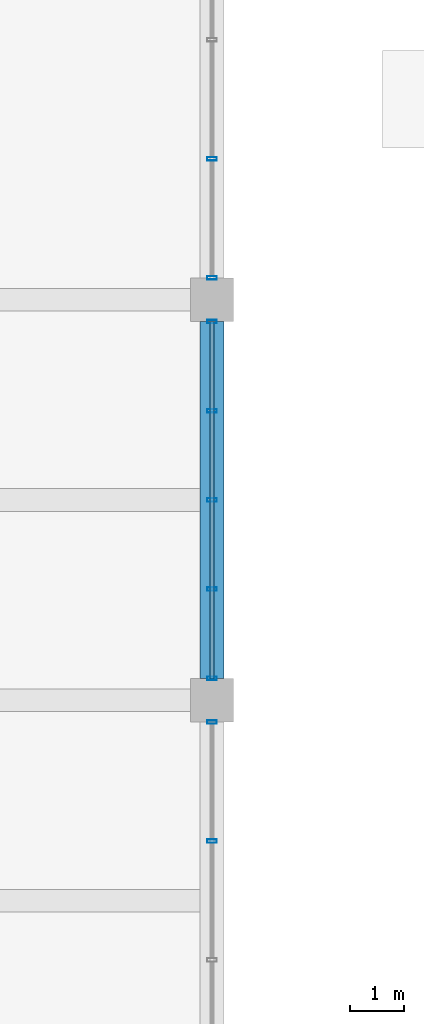
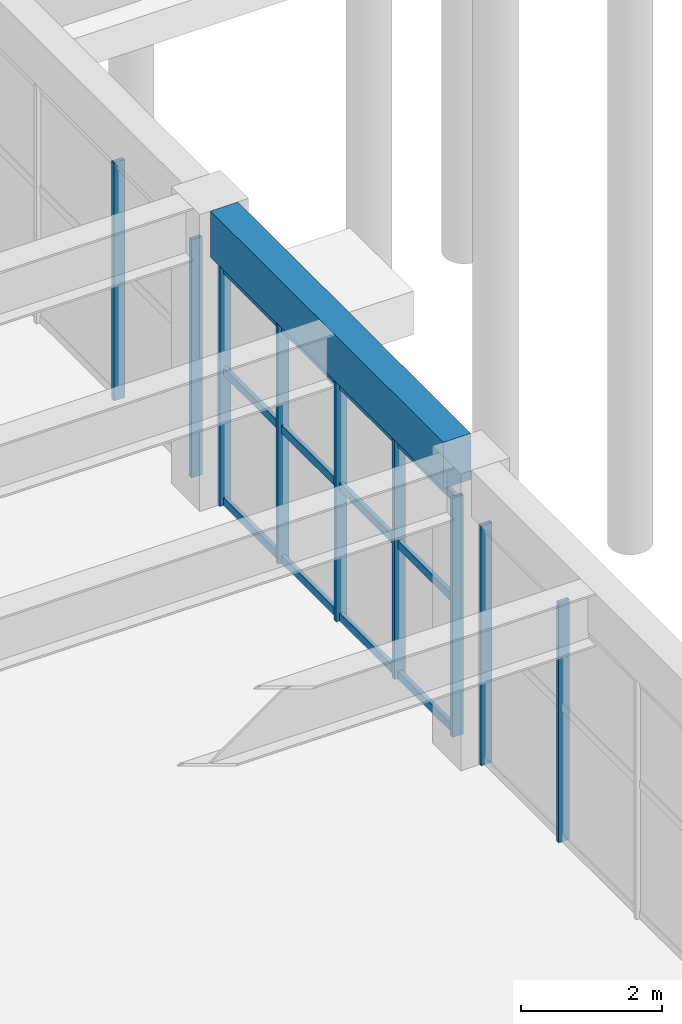
# One storey, part 49 of 140: 12 members, 1 beam, 3 elements without a shape of their own.
"""IFC4 building model written with IfcOpenShell, lengths in metres."""

from ifc_helpers import new_model, si_unit, direction, frame, origin, origin_2d, place, context, subcontext, project, spatial, rectangle, hollow_rectangle, extrude, material, material_profile, profile_set, type_object, element, aggregate, save


model = new_model("IFC4")

# Units and contexts
model_context = context("Model", 3, precision=1e-05, world=origin(), true_north=direction((0.0, 1.0)))
body_context = subcontext(model_context, "Body", "Model", "MODEL_VIEW")
ifc_project = project(units=[si_unit("LENGTHUNIT", "METRE"), si_unit("AREAUNIT", "SQUARE_METRE"), si_unit("VOLUMEUNIT", "CUBIC_METRE"), si_unit("PLANEANGLEUNIT", "RADIAN"), si_unit("MASSUNIT", "GRAM", prefix="KILO")], contexts=[model_context])

# Site, building, storey
site_placement = place(None, origin())
site = spatial("IfcSite", under=ifc_project, at=site_placement, CompositionType="ELEMENT")
building_placement = place(site_placement, origin())
building = spatial("IfcBuilding", under=site, at=building_placement, Name="Cimatlan Art Gallery", CompositionType="ELEMENT")
storey_placement = place(building_placement, origin())
storey = spatial("IfcBuildingStorey", under=building, at=storey_placement, Name="L00", CompositionType="ELEMENT", Elevation=0.0)

# Beam
ifc_material_1 = material(Name="Concrete C40/50", Category="concrete")
ifc_material_profile_1 = material_profile(ifc_material_1, rectangle(XDim=0.449951171875, YDim=0.800048828125, at=origin_2d()), Name="RC450X800")
ifc_profile_set_1 = profile_set([ifc_material_profile_1], Name="Concrete C40/50")
beam_type = type_object("IfcBeamType", Name="BM-RC-450X800", PredefinedType="BEAM", material=ifc_profile_set_1)
beam_placement = place(storey_placement, frame((99.199951171875, 53.89990234375, 4.735107421875), z_axis=(0.0, 1.0, 0.0), x_axis=(-1.0, 0.0, 0.0)))
element("IfcBeam", 1, at=beam_placement, inside=storey, type_object=beam_type, Name="BM-Y-L00-12-07", PredefinedType="BEAM", context=body_context, shape_type="SweptSolid", body=[
    extrude(rectangle(XDim=0.449951171875, YDim=0.800048828125, at=origin_2d()), origin(), (0.0, 0.0, 1.0), 6.60009765625),
])

# Curtain wall, members
ifc_material_2 = material(Name="Anodised bronze unitised curtain wall")
curtain_wall_type_1 = type_object("IfcCurtainWallType", Name="CW-V-06592X04148-B3", PredefinedType="NOTDEFINED", material=ifc_material_2)
curtain_wall_1_placement = place(storey_placement, origin())
curtain_wall_1 = element("IfcCurtainWall", 2, at=curtain_wall_1_placement, inside=storey, type_object=curtain_wall_type_1, Name="CW-L00-11-06-E", PredefinedType="NOTDEFINED")
ifc_material_3 = material(Name="Anodised bronze aluminium 6063-T6", Category="aluminium")
ifc_material_profile_2 = material_profile(ifc_material_3, hollow_rectangle(XDim=0.06494140625, YDim=0.179931640625, WallThickness=0.00390625, at=origin_2d()), Name="ALU65X180X4")
ifc_profile_set_2 = profile_set([ifc_material_profile_2], Name="Anodised bronze aluminium 6063-T6")
member_type_1 = type_object("IfcMemberType", Name="CW-MUL-180", PredefinedType="MULLION", material=ifc_profile_set_2)
member_1_placement = place(storey_placement, frame((99.199951171875, 53.095947265625, 0.0), z_axis=(0.0, 0.0, 1.0), x_axis=(0.0, 1.0, 0.0)))
member_1 = element("IfcMember", 3, at=member_1_placement, type_object=member_type_1, Name="CW-L00-11-06-E-M1", PredefinedType="MULLION", context=body_context, shape_type="SweptSolid", body=[
    extrude(hollow_rectangle(XDim=0.06494140625, YDim=0.179931640625, WallThickness=0.00390625, at=origin_2d()), origin(), (0.0, 0.0, 1.0), 4.14794921875),
])
member_2_placement = place(storey_placement, frame((99.199951171875, 50.898681640625, 0.0), z_axis=(0.0, 0.0, 1.0), x_axis=(0.0, 1.0, 0.0)))
member_2 = element("IfcMember", 4, at=member_2_placement, type_object=member_type_1, Name="CW-L00-11-06-E-M2", PredefinedType="MULLION", context=body_context, shape_type="SweptSolid", body=[
    extrude(hollow_rectangle(XDim=0.06494140625, YDim=0.179931640625, WallThickness=0.00390625, at=origin_2d()), origin(), (0.0, 0.0, 1.0), 4.14794921875),
])
aggregate(curtain_wall_1, [member_1, member_2])

curtain_wall_type_2 = type_object("IfcCurtainWallType", Name="CW-V-06592X04133-B4", PredefinedType="NOTDEFINED", material=ifc_material_2)
curtain_wall_2_placement = place(storey_placement, origin())
curtain_wall_2 = element("IfcCurtainWall", 5, at=curtain_wall_2_placement, inside=storey, type_object=curtain_wall_type_2, Name="CW-L00-11-07-E", PredefinedType="NOTDEFINED")
member_3_placement = place(storey_placement, frame((99.199951171875, 60.49609375, 0.0), z_axis=(0.0, 0.0, 1.0), x_axis=(0.0, 1.0, 0.0)))
member_3 = element("IfcMember", 6, at=member_3_placement, type_object=member_type_1, Name="CW-L00-11-07-E-M1", PredefinedType="MULLION", context=body_context, shape_type="SweptSolid", body=[
    extrude(hollow_rectangle(XDim=0.06494140625, YDim=0.179931640625, WallThickness=0.00390625, at=origin_2d()), origin(), (0.0, 0.0, 1.0), 4.133056640625),
])
member_4_placement = place(storey_placement, frame((99.199951171875, 58.847900390625, 0.0), z_axis=(0.0, 0.0, 1.0), x_axis=(0.0, 1.0, 0.0)))
member_4 = element("IfcMember", 7, at=member_4_placement, type_object=member_type_1, Name="CW-L00-11-07-E-M2", PredefinedType="MULLION", context=body_context, shape_type="SweptSolid", body=[
    extrude(hollow_rectangle(XDim=0.06494140625, YDim=0.179931640625, WallThickness=0.00390625, at=origin_2d()), origin(), (0.0, 0.0, 1.0), 4.133056640625),
])
member_5_placement = place(storey_placement, frame((99.199951171875, 57.199951171875, 0.0), z_axis=(0.0, 0.0, 1.0), x_axis=(0.0, 1.0, 0.0)))
member_5 = element("IfcMember", 8, at=member_5_placement, type_object=member_type_1, Name="CW-L00-11-07-E-M3", PredefinedType="MULLION", context=body_context, shape_type="SweptSolid", body=[
    extrude(hollow_rectangle(XDim=0.06494140625, YDim=0.179931640625, WallThickness=0.00390625, at=origin_2d()), origin(), (0.0, 0.0, 1.0), 4.133056640625),
])
member_6_placement = place(storey_placement, frame((99.199951171875, 55.552001953125, 0.0), z_axis=(0.0, 0.0, 1.0), x_axis=(0.0, 1.0, 0.0)))
member_6 = element("IfcMember", 9, at=member_6_placement, type_object=member_type_1, Name="CW-L00-11-07-E-M4", PredefinedType="MULLION", context=body_context, shape_type="SweptSolid", body=[
    extrude(hollow_rectangle(XDim=0.06494140625, YDim=0.179931640625, WallThickness=0.00390625, at=origin_2d()), origin(), (0.0, 0.0, 1.0), 4.133056640625),
])
member_7_placement = place(storey_placement, frame((99.199951171875, 53.904052734375, 0.0), z_axis=(0.0, 0.0, 1.0), x_axis=(0.0, 1.0, 0.0)))
member_7 = element("IfcMember", 10, at=member_7_placement, type_object=member_type_1, Name="CW-L00-11-07-E-M5", PredefinedType="MULLION", context=body_context, shape_type="SweptSolid", body=[
    extrude(hollow_rectangle(XDim=0.06494140625, YDim=0.179931640625, WallThickness=0.00390625, at=origin_2d()), origin(), (0.0, 0.0, 1.0), 4.133056640625),
])

curtain_wall_type_3 = type_object("IfcCurtainWallType", Name="CW-V-06592X04118-B3", PredefinedType="NOTDEFINED", material=ifc_material_2)
curtain_wall_3_placement = place(storey_placement, origin())
curtain_wall_3 = element("IfcCurtainWall", 11, at=curtain_wall_3_placement, inside=storey, type_object=curtain_wall_type_3, Name="CW-L00-11-08-E", PredefinedType="NOTDEFINED")
member_8_placement = place(storey_placement, frame((99.199951171875, 63.501220703125, 0.0), z_axis=(0.0, 0.0, 1.0), x_axis=(0.0, 1.0, 0.0)))
member_8 = element("IfcMember", 12, at=member_8_placement, type_object=member_type_1, Name="CW-L00-11-08-E-M3", PredefinedType="MULLION", context=body_context, shape_type="SweptSolid", body=[
    extrude(hollow_rectangle(XDim=0.06494140625, YDim=0.179931640625, WallThickness=0.00390625, at=origin_2d()), origin(), (0.0, 0.0, 1.0), 4.117919921875),
])
member_9_placement = place(storey_placement, frame((99.199951171875, 61.303955078125, 0.0), z_axis=(0.0, 0.0, 1.0), x_axis=(0.0, 1.0, 0.0)))
member_9 = element("IfcMember", 13, at=member_9_placement, type_object=member_type_1, Name="CW-L00-11-08-E-M4", PredefinedType="MULLION", context=body_context, shape_type="SweptSolid", body=[
    extrude(hollow_rectangle(XDim=0.06494140625, YDim=0.179931640625, WallThickness=0.00390625, at=origin_2d()), origin(), (0.0, 0.0, 1.0), 4.117919921875),
])
aggregate(curtain_wall_3, [member_8, member_9])

# Member
ifc_material_profile_3 = material_profile(ifc_material_3, hollow_rectangle(XDim=0.06494140625, YDim=0.139892578125, WallThickness=0.00390625, at=origin_2d()), Name="ALU65X140X4")
ifc_profile_set_3 = profile_set([ifc_material_profile_3], Name="Anodised bronze aluminium 6063-T6")
member_type_2 = type_object("IfcMemberType", Name="CW-TRN-140", PredefinedType="USERDEFINED", material=ifc_profile_set_3)
member_10_placement = place(storey_placement, frame((99.199951171875, 60.49609375, 0.06005859375), z_axis=(0.0, -1.0, 0.0), x_axis=(1.0, 0.0, 0.0)))
member_10 = element("IfcMember", 14, at=member_10_placement, type_object=member_type_2, Name="CW-L00-11-07-E-T1", ObjectType="TRANSOM", PredefinedType="USERDEFINED", context=body_context, shape_type="SweptSolid", body=[
    extrude(hollow_rectangle(XDim=0.06494140625, YDim=0.139892578125, WallThickness=0.00390625, at=origin_2d()), origin(), (0.0, 0.0, 1.0), 6.592041015625),
])

member_11_placement = place(storey_placement, frame((99.199951171875, 60.49609375, 2.314453125), z_axis=(0.0, -1.0, 0.0), x_axis=(1.0, 0.0, 0.0)))
member_11 = element("IfcMember", 15, at=member_11_placement, type_object=member_type_2, Name="CW-L00-11-07-E-T2", ObjectType="TRANSOM", PredefinedType="USERDEFINED", context=body_context, shape_type="SweptSolid", body=[
    extrude(hollow_rectangle(XDim=0.06494140625, YDim=0.139892578125, WallThickness=0.00390625, at=origin_2d()), origin(), (0.0, 0.0, 1.0), 6.592041015625),
])

member_12_placement = place(storey_placement, frame((99.199951171875, 60.49609375, 4.072998046875), z_axis=(0.0, -1.0, 0.0), x_axis=(1.0, 0.0, 0.0)))
member_12 = element("IfcMember", 16, at=member_12_placement, type_object=member_type_2, Name="CW-L00-11-07-E-T3", ObjectType="TRANSOM", PredefinedType="USERDEFINED", context=body_context, shape_type="SweptSolid", body=[
    extrude(hollow_rectangle(XDim=0.06494140625, YDim=0.139892578125, WallThickness=0.00390625, at=origin_2d()), origin(), (0.0, 0.0, 1.0), 6.592041015625),
])

aggregate(curtain_wall_2, [member_3, member_4, member_5, member_6, member_7, member_10, member_11, member_12])

save(model, "model.ifc")
